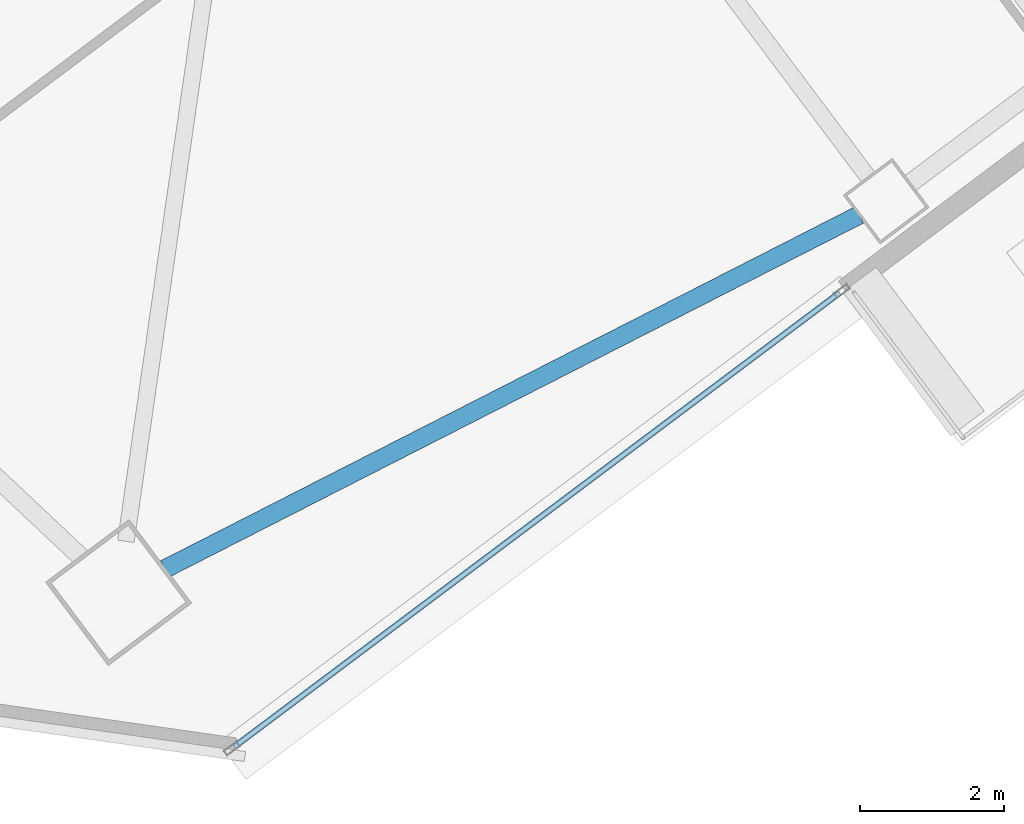
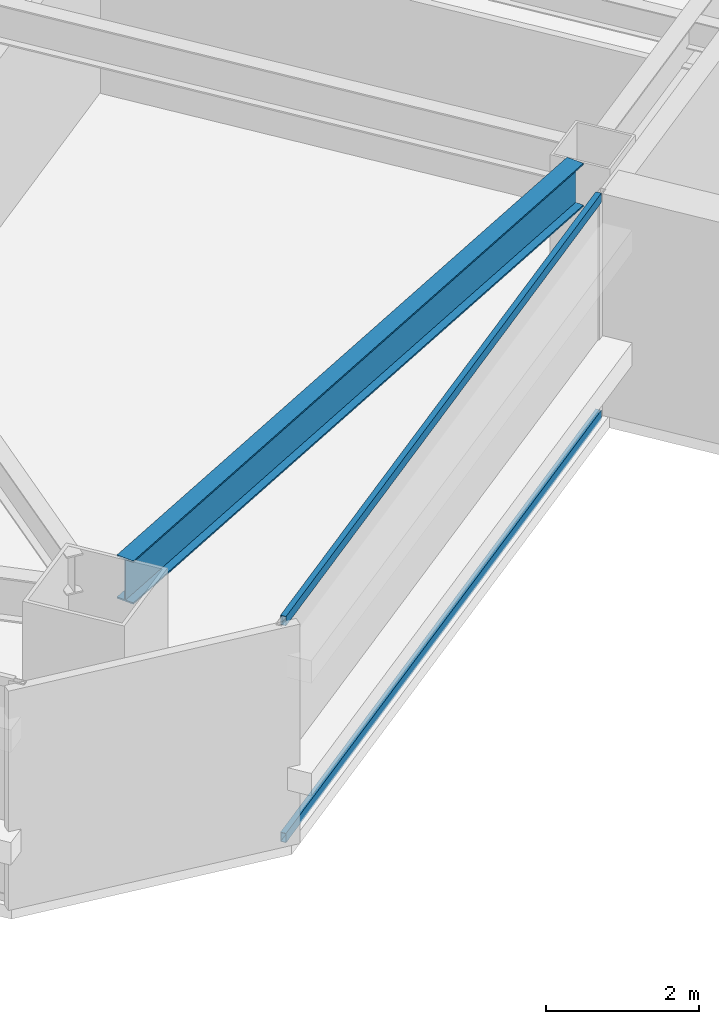
# One storey, part 18 of 46: 2 members, 1 beam, 1 element without a shape of its own.
"""IFC4 building model written with IfcOpenShell, lengths in metres."""

import ifcopenshell
import ifcopenshell.guid

model = None  # the IFC model being written
_history = None  # IfcOwnerHistory: only IFC2X3 demands one
_inside = {}  # id of a spatial element -> (the spatial element, [elements in it])
_under = {}  # id of a project, library or spatial element -> (it, [spatial elements below it])
_declared = {}  # id of a project -> (the project, [libraries it declares])
_typed = {}  # id of a type object -> (the type object, [elements of that type])
_made_of = {}  # id of a material, layer set ... -> (it, [elements and type objects made of it])


def new_model(schema):
    """Start an empty IFC model of exactly this schema.

    Asked for "IFC4X3", IfcOpenShell would pick the latest addendum, in which some entities
    have other attributes; the version numbers below select the first issue.
    IFC2X3 requires an IfcOwnerHistory on every rooted entity: one is made here for all.
    """
    global model, _history
    if schema == "IFC4X3":
        model = ifcopenshell.file(schema_version=(4, 3, 0, 0))
    else:
        model = ifcopenshell.file(schema=schema)
    _inside.clear()
    _under.clear()
    _declared.clear()
    _typed.clear()
    _made_of.clear()
    _history = None
    if model.schema == "IFC2X3":
        org = make("IfcOrganization", Name="unknown")
        user = make(
            "IfcPersonAndOrganization",
            ThePerson=make("IfcPerson", FamilyName="unknown"),
            TheOrganization=org,
        )
        app = make(
            "IfcApplication",
            ApplicationDeveloper=org,
            Version="unknown",
            ApplicationFullName="unknown",
            ApplicationIdentifier="unknown",
        )
        _history = make(
            "IfcOwnerHistory",
            OwningUser=user,
            OwningApplication=app,
            ChangeAction="ADDED",
            CreationDate=0,
        )
    return model


def make(cls, **values):
    """One entity of the class cls with the attributes given. An attribute that is None is left unset."""
    return model.create_entity(
        cls, **{name: value for name, value in values.items() if value is not None}
    )


def rooted(cls, **values):
    """An entity with a GlobalId (a new one), such as an element, a storey or a relation."""
    return make(cls, GlobalId=ifcopenshell.guid.new(), OwnerHistory=_history, **values)


def si_unit(unit_type, name, prefix=None):
    """IfcSIUnit, for example si_unit("LENGTHUNIT", "METRE", prefix="MILLI")."""
    return make("IfcSIUnit", UnitType=unit_type, Prefix=prefix, Name=name)


def assignment(units):
    """IfcUnitAssignment: the units of a project."""
    return None if units is None else make("IfcUnitAssignment", Units=units)


def point(xyz):
    """IfcCartesianPoint."""
    return None if xyz is None else make("IfcCartesianPoint", Coordinates=xyz)


def direction(xyz):
    """IfcDirection."""
    return None if xyz is None else make("IfcDirection", DirectionRatios=xyz)


def frame(location, z_axis=None, x_axis=None):
    """IfcAxis2Placement3D, a coordinate frame: its origin and axes. An axis left out is left unset."""
    return make(
        "IfcAxis2Placement3D",
        Location=point(location),
        Axis=direction(z_axis),
        RefDirection=direction(x_axis),
    )


def frame_2d(location, x_axis=None):
    """IfcAxis2Placement2D, a coordinate frame in the plane: its origin and x axis."""
    return make(
        "IfcAxis2Placement2D", Location=point(location), RefDirection=direction(x_axis)
    )


def origin():
    """The frame at (0, 0, 0) with its axes left unset."""
    return frame((0.0, 0.0, 0.0))


def origin_2d():
    """The frame at (0, 0) in the plane with its x axis left unset."""
    return frame_2d((0.0, 0.0))


def place(relative_to, where):
    """IfcLocalPlacement: puts the frame where relative to a parent placement (None: the world)."""
    return make(
        "IfcLocalPlacement", PlacementRelTo=relative_to, RelativePlacement=where
    )


def context(
    kind, dimensions, precision=None, world=None, true_north=None, identifier=None
):
    """IfcGeometricRepresentationContext, for example the 3D "Model" context."""
    return make(
        "IfcGeometricRepresentationContext",
        ContextIdentifier=identifier,
        ContextType=kind,
        CoordinateSpaceDimension=dimensions,
        Precision=precision,
        WorldCoordinateSystem=world,
        TrueNorth=true_north,
    )


def subcontext(parent, identifier, kind, view, scale=None):
    """IfcGeometricRepresentationSubContext, for example "Body" below "Model"."""
    return make(
        "IfcGeometricRepresentationSubContext",
        ContextIdentifier=identifier,
        ContextType=kind,
        ParentContext=parent,
        TargetScale=scale,
        TargetView=view,
    )


def project(units=None, contexts=None):
    """IfcProject with its units and contexts."""
    return rooted(
        "IfcProject",
        Name="project",
        RepresentationContexts=contexts,
        UnitsInContext=assignment(units),
    )


def spatial(cls, under=None, at=None, **own):
    """A site, building, storey or space (cls), placed at a placement, below another one or the project."""
    s = rooted(cls, ObjectPlacement=at, **own)
    if under is not None:
        _under.setdefault(under.id(), (under, []))[1].append(s)
    return s


def profile(cls, at=None, kind="AREA", **sizes):
    """A parametric profile (cls). Its sizes go by their IFC names, for example OverallWidth=200.0."""
    return make(cls, ProfileType=kind, Position=at, **sizes)


def hollow_rectangle(**sizes):
    """IfcRectangleHollowProfileDef."""
    return profile("IfcRectangleHollowProfileDef", **sizes)


def i_section(**sizes):
    """IfcIShapeProfileDef."""
    return profile("IfcIShapeProfileDef", **sizes)


def extrude(swept, where, along, depth):
    """IfcExtrudedAreaSolid: the profile swept, set in the frame where, extruded along a direction by depth."""
    return make(
        "IfcExtrudedAreaSolid",
        SweptArea=swept,
        Position=where,
        ExtrudedDirection=direction(along),
        Depth=depth,
    )


def shape(context_of_items, identifier, shape_type, items):
    """IfcShapeRepresentation: the items that make up one representation, for example the "Body"."""
    return make(
        "IfcShapeRepresentation",
        ContextOfItems=context_of_items,
        RepresentationIdentifier=identifier,
        RepresentationType=shape_type,
        Items=items,
    )


def material(Name=None, Category=None):
    """IfcMaterial."""
    return make("IfcMaterial", Name=Name, Category=Category)


def material_profile(
    of_material, cross_section, Name=None, Category=None, Priority=None
):
    """IfcMaterialProfile: a cross section and its material."""
    return make(
        "IfcMaterialProfile",
        Name=Name,
        Material=of_material,
        Profile=cross_section,
        Priority=Priority,
        Category=Category,
    )


def profile_set(profiles, Name=None, composite=None):
    """IfcMaterialProfileSet."""
    return make(
        "IfcMaterialProfileSet",
        Name=Name,
        MaterialProfiles=profiles,
        CompositeProfile=composite,
    )


def made_of(thing, what):
    """Note that an element or type object is made of a material, layer set ...; save() writes the relation."""
    if what is not None:
        _made_of.setdefault(what.id(), (what, []))[1].append(thing)
    return thing


def type_object(cls, material=None, **own):
    """A type object (cls), such as IfcWallType, which elements share."""
    return made_of(rooted(cls, **own), material)


def element(
    cls,
    number,
    at=None,
    inside=None,
    cuts=None,
    type_object=None,
    material=None,
    context=None,
    identifier="Body",
    shape_type=None,
    held_by="IfcProductDefinitionShape",
    body=None,
    shapes=None,
    **own,
):
    """One element of the class cls, such as IfcWall. Its Tag is "e" and its number.

    at: its placement. inside: the storey or other place that contains it. cuts: it is an
    opening in that element (IfcRelVoidsElement). A single representation is given by context,
    identifier, shape_type and body (its items); several are given by shapes. held_by: the class
    of the entity that holds the representations. save() writes the other relations.
    """
    e = rooted(cls, Tag="e%d" % number, ObjectPlacement=at, **own)
    if body is not None:
        shapes = [shape(context, identifier, shape_type, body)]
    if shapes is not None:
        e.Representation = make(held_by, Representations=shapes)
    if inside is not None:
        _inside.setdefault(inside.id(), (inside, []))[1].append(e)
    if cuts is not None:
        rooted(
            "IfcRelVoidsElement", RelatingBuildingElement=cuts, RelatedOpeningElement=e
        )
    if type_object is not None:
        _typed.setdefault(type_object.id(), (type_object, []))[1].append(e)
    return made_of(e, material)


def aggregate(whole, parts):
    """IfcRelAggregates: a whole, such as a stair, and the parts it consists of."""
    return rooted("IfcRelAggregates", RelatingObject=whole, RelatedObjects=parts)


def save(model, path):
    """Write the relations noted so far, then the file.

    IfcRelAggregates (storeys below a building ...), IfcRelContainedInSpatialStructure (elements
    in a storey), IfcRelDefinesByType, IfcRelAssociatesMaterial and IfcRelDeclares: one each for
    every whole, place, type object, material and project.
    """
    for whole, parts in _under.values():
        aggregate(whole, parts)
    for where, things in _inside.values():
        rooted(
            "IfcRelContainedInSpatialStructure",
            RelatedElements=things,
            RelatingStructure=where,
        )
    for kind, things in _typed.values():
        rooted("IfcRelDefinesByType", RelatedObjects=things, RelatingType=kind)
    for what, things in _made_of.values():
        rooted("IfcRelAssociatesMaterial", RelatedObjects=things, RelatingMaterial=what)
    for by, libraries in _declared.values():
        rooted("IfcRelDeclares", RelatingContext=by, RelatedDefinitions=libraries)
    model.write(path)


model = new_model("IFC4")

# Units and contexts
model_context = context("Model", 3, precision=1e-05, world=origin(), true_north=direction((0.0, 1.0)))
body_context = subcontext(model_context, "Body", "Model", "MODEL_VIEW")
ifc_project = project(units=[si_unit("LENGTHUNIT", "METRE"), si_unit("AREAUNIT", "SQUARE_METRE"), si_unit("VOLUMEUNIT", "CUBIC_METRE"), si_unit("PLANEANGLEUNIT", "RADIAN"), si_unit("MASSUNIT", "GRAM", prefix="KILO")], contexts=[model_context])

# Site, building, storey
site_placement = place(None, origin())
site = spatial("IfcSite", under=ifc_project, at=site_placement, CompositionType="ELEMENT")
building_placement = place(site_placement, origin())
building = spatial("IfcBuilding", under=site, at=building_placement, Name="Tashvorn Skyway Center", CompositionType="ELEMENT")
storey_placement = place(building_placement, frame((0.0, 0.0, 99.14990234375)))
storey = spatial("IfcBuildingStorey", under=building, at=storey_placement, Name="L26", CompositionType="ELEMENT", Elevation=99.14990234375)

# Beam
ifc_material_1 = material(Name="Steel ASTM A992 Grade 50", Category="steel")
ifc_material_profile_1 = material_profile(ifc_material_1, i_section(OverallWidth=0.256103515625, OverallDepth=0.693115234375, WebThickness=0.014404296875, FlangeThickness=0.023681640625, at=origin_2d()), Name="W27X114")
ifc_profile_set_1 = profile_set([ifc_material_profile_1], Name="Steel ASTM A992 Grade 50")
beam_type = type_object("IfcBeamType", Name="BM-SPANDREL-W27X114", PredefinedType="SPANDREL", material=ifc_profile_set_1)
beam_placement = place(storey_placement, frame((111.201416015625, 8.2470703125, 3.003662109375), z_axis=(0.890894170442, 0.454210938961, 0.0), x_axis=(-0.454210938961, 0.890894170442, 0.0)))
element("IfcBeam", 1, at=beam_placement, inside=storey, type_object=beam_type, Name="Tower 2 L26 Spandrel Beam 01", PredefinedType="SPANDREL", context=body_context, shape_type="SweptSolid", body=[
    extrude(i_section(OverallWidth=0.256103515625, OverallDepth=0.693115234375, WebThickness=0.014404296875, FlangeThickness=0.023681640625, at=origin_2d()), origin(), (0.0, 0.0, 1.0), 10.836669921875),
])

# Curtain wall, members
ifc_material_2 = material(Name="Thermally broken bronze-anodized aluminium 6063-T6", Category="aluminium")
curtain_wall_type = type_object("IfcCurtainWallType", Name="CW-CW-Z2", PredefinedType="NOTDEFINED", material=ifc_material_2)
curtain_wall_placement = place(storey_placement, origin())
curtain_wall = element("IfcCurtainWall", 2, at=curtain_wall_placement, inside=storey, type_object=curtain_wall_type, Name="Tower 2 L26 South Curtain Wall R", PredefinedType="NOTDEFINED")
ifc_material_profile_2 = material_profile(ifc_material_2, hollow_rectangle(XDim=0.080078125, YDim=0.14990234375, WallThickness=0.00439453125, at=origin_2d()), Name="ALU-TRAN-80x150")
ifc_profile_set_2 = profile_set([ifc_material_profile_2], Name="Thermally broken bronze-anodized aluminium 6063-T6")
member_type = type_object("IfcMemberType", Name="CWT-CW-Z2", PredefinedType="USERDEFINED", material=ifc_profile_set_2)
member_1_placement = place(storey_placement, frame((120.583984375, 12.087890625, 0.0400390625), z_axis=(-0.8, -0.6, 0.0), x_axis=(0.6, -0.8, 0.0)))
member_1 = element("IfcMember", 3, at=member_1_placement, type_object=member_type, Name="CW-Z2 transom 1.1", ObjectType="TRANSOM", PredefinedType="USERDEFINED", context=body_context, shape_type="SweptSolid", body=[
    extrude(hollow_rectangle(XDim=0.080078125, YDim=0.14990234375, WallThickness=0.00439453125, at=origin_2d()), origin(), (0.0, 0.0, 1.0), 10.52001953125),
])
member_2_placement = place(storey_placement, frame((120.583984375, 12.087890625, 3.510009765625), z_axis=(-0.8, -0.6, 0.0), x_axis=(0.6, -0.8, 0.0)))
member_2 = element("IfcMember", 4, at=member_2_placement, type_object=member_type, Name="CW-Z2 transom 1.2", ObjectType="TRANSOM", PredefinedType="USERDEFINED", context=body_context, shape_type="SweptSolid", body=[
    extrude(hollow_rectangle(XDim=0.080078125, YDim=0.14990234375, WallThickness=0.00439453125, at=origin_2d()), origin(), (0.0, 0.0, 1.0), 10.52001953125),
])
aggregate(curtain_wall, [member_1, member_2])

save(model, "model.ifc")
